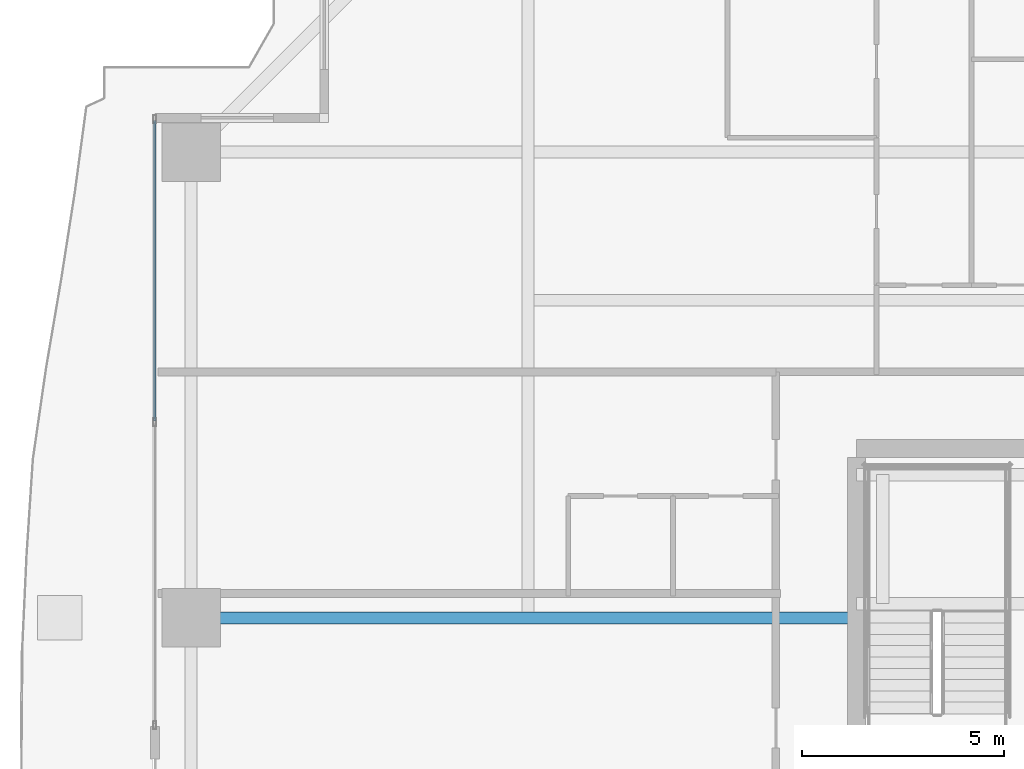
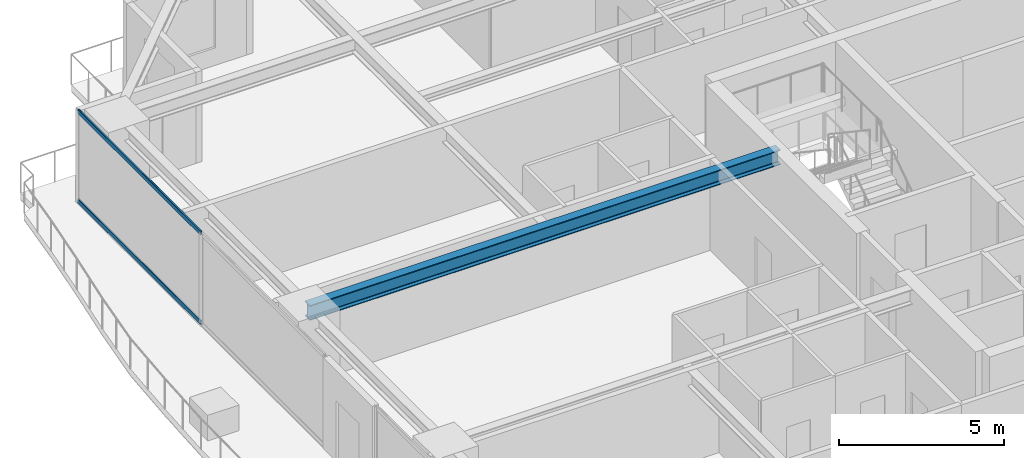
# One storey, part 17 of 40: 2 members, 1 beam, 1 element without a shape of its own.
"""IFC4 building model written with IfcOpenShell, lengths in metres."""

from ifc_helpers import new_model, si_unit, direction, frame, origin, origin_2d, place, context, subcontext, project, spatial, hollow_rectangle, i_section, extrude, source, transform, mapped, material, layer, layer_set, material_profile, profile_set, type_object, element, aggregate, save


model = new_model("IFC4")

# Units and contexts
model_context = context("Model", 3, precision=1e-05, world=origin(), true_north=direction((0.0, 1.0)))
body_context = subcontext(model_context, "Body", "Model", "MODEL_VIEW")
ifc_project = project(units=[si_unit("LENGTHUNIT", "METRE"), si_unit("AREAUNIT", "SQUARE_METRE"), si_unit("VOLUMEUNIT", "CUBIC_METRE"), si_unit("PLANEANGLEUNIT", "RADIAN"), si_unit("MASSUNIT", "GRAM", prefix="KILO")], contexts=[model_context])

# Site, building, storey
site_placement = place(None, origin())
site = spatial("IfcSite", under=ifc_project, at=site_placement, CompositionType="ELEMENT")
building_placement = place(site_placement, origin())
building = spatial("IfcBuilding", under=site, at=building_placement, Name="Serunith Strait Residences", CompositionType="ELEMENT")
storey_placement = place(building_placement, frame((0.0, 0.0, 105.449951171875)))
storey = spatial("IfcBuildingStorey", under=building, at=storey_placement, Name="L26", CompositionType="ELEMENT", Elevation=105.449951171875)

# Beam
ifc_material_1 = material(Name="Steel S355J2", Category="steel")
ifc_material_profile_1 = material_profile(ifc_material_1, i_section(OverallWidth=0.300048828125, OverallDepth=0.550048828125, WebThickness=0.014892578125, FlangeThickness=0.029052734375, FilletRadius=0.027099609375, at=origin_2d()), Name="HEB 550")
ifc_profile_set_1 = profile_set([ifc_material_profile_1], Name="Steel S355J2")
beam_type = type_object("IfcBeamType", Name="BM-HEB550", PredefinedType="BEAM", material=ifc_profile_set_1)
shared_shape_1 = source(origin(), body_context, "Body", "SweptSolid", [
    extrude(i_section(OverallWidth=0.300048828125, OverallDepth=0.550048828125, WebThickness=0.014892578125, FlangeThickness=0.029052734375, FilletRadius=0.027099609375, at=origin_2d()), origin(), (0.0, 0.0, 1.0), 16.5),
])
beam_placement = place(storey_placement, frame((23.39990234375, 29.39990234375, 3.112060546875), z_axis=(-1.0, 0.0, 0.0), x_axis=(0.0, -1.0, 0.0)))
element("IfcBeam", 1, at=beam_placement, inside=storey, type_object=beam_type, Name="L26 Primary Floor Girder TC-W3", PredefinedType="BEAM", context=body_context, shape_type="MappedRepresentation", body=[
    mapped(shared_shape_1, transform((0.0, 0.0, 0.0), scale=1.0)),
])

# Curtain wall, members
ifc_material_2 = material(Name="Pale-Champagne Anodised Aluminium", Category="aluminium")
ifc_layer = layer(ifc_material_2, 0.199951171875, Name="Pale-Champagne Anodised Aluminium")
ifc_layer_set = layer_set([ifc_layer], Name="Pale-Champagne Anodised Aluminium")
curtain_wall_type = type_object("IfcCurtainWallType", Name="CW-SYS1", PredefinedType="NOTDEFINED", material=ifc_layer_set)
curtain_wall_placement = place(storey_placement, origin())
curtain_wall = element("IfcCurtainWall", 2, at=curtain_wall_placement, inside=storey, type_object=curtain_wall_type, Name="L26 W Unitised Fritted Curtain Wall", PredefinedType="NOTDEFINED")
ifc_material_profile_2 = material_profile(ifc_material_2, hollow_rectangle(XDim=0.06005859375, YDim=0.159912109375, WallThickness=0.00341796875, InnerFilletRadius=0.00537109375, OuterFilletRadius=0.0087890625, at=origin_2d()), Name="ALU 160x60x3.5")
ifc_profile_set_2 = profile_set([ifc_material_profile_2], Name="Pale-Champagne Anodised Aluminium")
member_type = type_object("IfcMemberType", Name="CW-SYS1-TRAN", PredefinedType="USERDEFINED", material=ifc_profile_set_2)
shared_shape_2 = source(origin(), body_context, "Body", "SweptSolid", [
    extrude(hollow_rectangle(XDim=0.06005859375, YDim=0.159912109375, WallThickness=0.00341796875, InnerFilletRadius=0.00537109375, OuterFilletRadius=0.0087890625, at=origin_2d()), origin(), (0.0, 0.0, 1.0), 7.445068359375),
])
member_1_placement = place(storey_placement, frame((6.0, 41.72998046875, 0.030029296875), z_axis=(0.0, -1.0, 0.0), x_axis=(1.0, 0.0, 0.0)))
member_1 = element("IfcMember", 3, at=member_1_placement, type_object=member_type, Name="CW-1 transom 1.1", ObjectType="TRANSOM", PredefinedType="USERDEFINED", context=body_context, shape_type="MappedRepresentation", body=[
    mapped(shared_shape_2, transform((0.0, 0.0, 0.0), scale=1.0)),
])
member_2_placement = place(storey_placement, frame((6.0, 41.72998046875, 3.344970703125), z_axis=(0.0, -1.0, 0.0), x_axis=(1.0, 0.0, 0.0)))
member_2 = element("IfcMember", 4, at=member_2_placement, type_object=member_type, Name="CW-1 transom 1.2", ObjectType="TRANSOM", PredefinedType="USERDEFINED", context=body_context, shape_type="MappedRepresentation", body=[
    mapped(shared_shape_2, transform((0.0, 0.0, 0.0), scale=1.0)),
])
aggregate(curtain_wall, [member_1, member_2])

save(model, "model.ifc")
